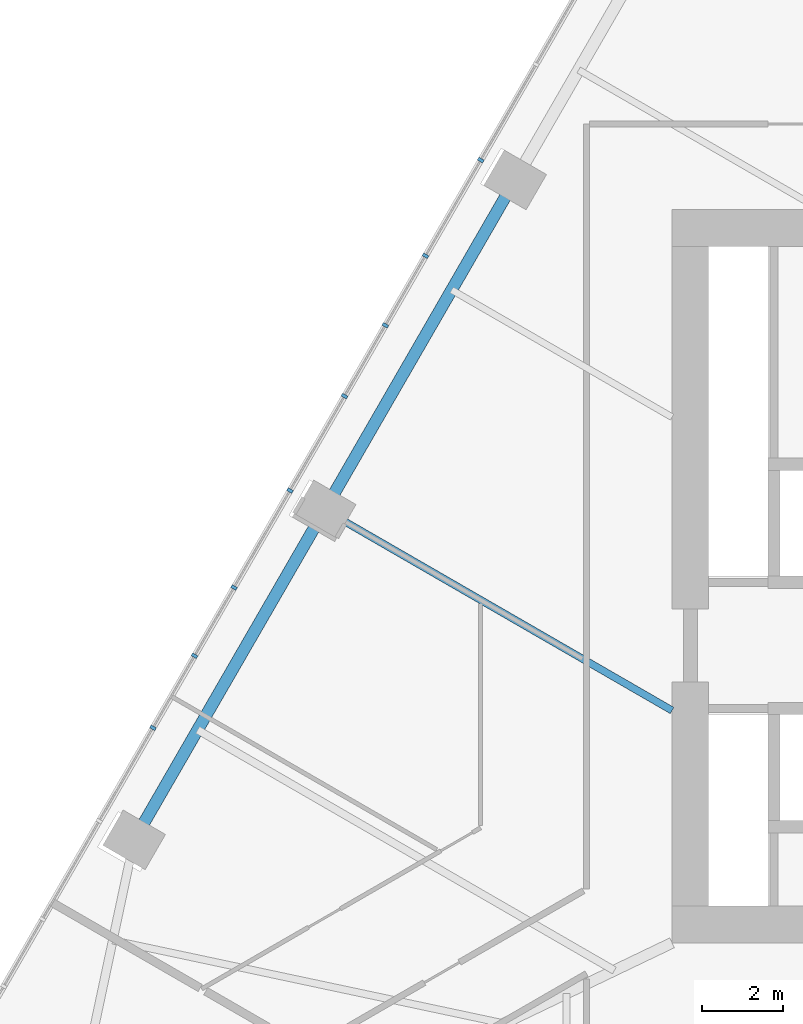
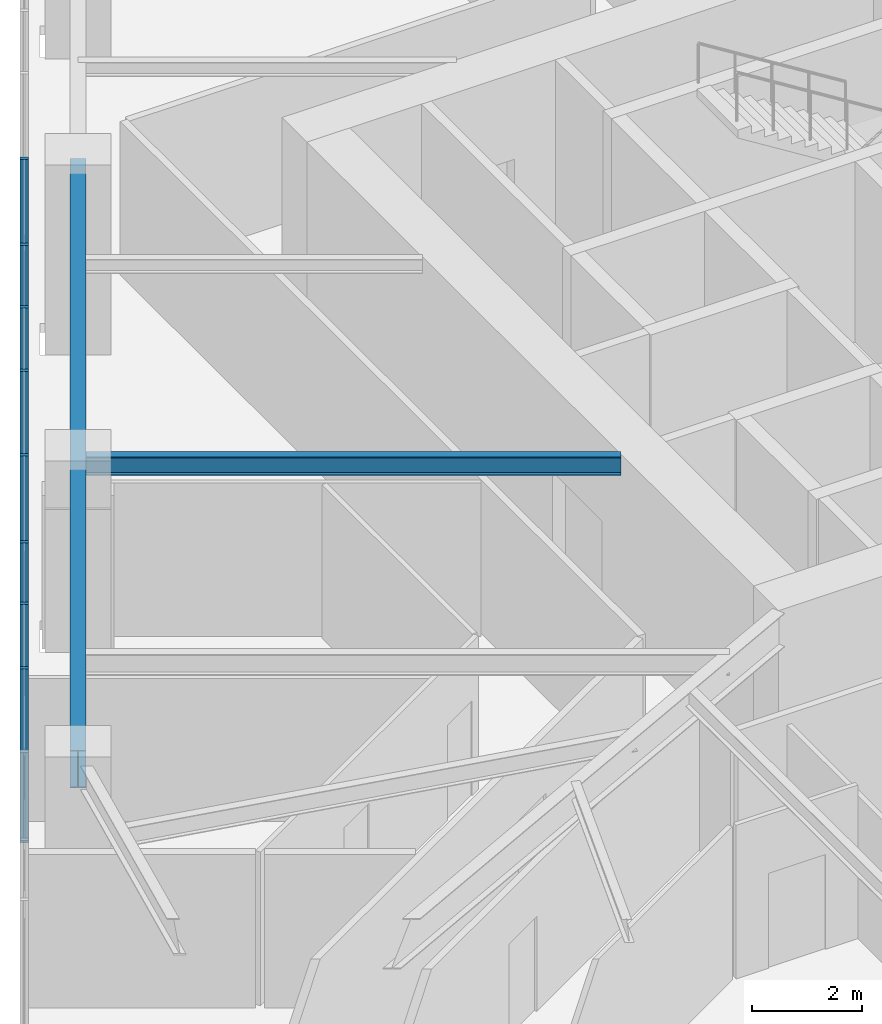
# One storey, part 4 of 19: 8 members, 2 beams, 1 element without a shape of its own.
"""IFC4 building model written with IfcOpenShell, lengths in metres."""

from ifc_helpers import new_model, si_unit, direction, frame, origin, origin_2d, place, context, subcontext, project, spatial, rectangle, i_section, extrude, material, layer, layer_set, material_profile, profile_set, type_object, element, aggregate, save


model = new_model("IFC4")

# Units and contexts
model_context = context("Model", 3, precision=1e-05, world=origin(), true_north=direction((0.0, 1.0)))
body_context = subcontext(model_context, "Body", "Model", "MODEL_VIEW")
ifc_project = project(units=[si_unit("LENGTHUNIT", "METRE"), si_unit("AREAUNIT", "SQUARE_METRE"), si_unit("VOLUMEUNIT", "CUBIC_METRE"), si_unit("PLANEANGLEUNIT", "RADIAN"), si_unit("MASSUNIT", "GRAM", prefix="KILO")], contexts=[model_context])

# Site, building, storey
site_placement = place(None, origin())
site = spatial("IfcSite", under=ifc_project, at=site_placement, CompositionType="ELEMENT")
building_placement = place(site_placement, origin())
building = spatial("IfcBuilding", under=site, at=building_placement, Name="Firuza Gate Tower and Library", CompositionType="ELEMENT")
storey_placement = place(building_placement, frame((0.0, 0.0, 103.0)))
storey = spatial("IfcBuildingStorey", under=building, at=storey_placement, Name="L23", CompositionType="ELEMENT", Elevation=103.0)

# Curtain wall, members
ifc_material_1 = material(Name="Aluminium 6063-T6", Category="aluminium")
ifc_layer = layer(ifc_material_1, 0.14990234375)
ifc_layer_set = layer_set([ifc_layer], Name="Unitised curtain wall, offices")
curtain_wall_type = type_object("IfcCurtainWallType", Name="Unitised curtain wall, offices", PredefinedType="NOTDEFINED", material=ifc_layer_set)
curtain_wall_placement = place(storey_placement, origin())
curtain_wall = element("IfcCurtainWall", 1, at=curtain_wall_placement, inside=storey, type_object=curtain_wall_type, Name="CW1 L23 W face", PredefinedType="NOTDEFINED")
ifc_material_2 = material(Name="Aluminium 6063-T6", Category="aluminium")
ifc_material_profile_1 = material_profile(ifc_material_2, rectangle(XDim=0.14990234375, YDim=0.080078125, at=origin_2d()))
ifc_profile_set_1 = profile_set([ifc_material_profile_1], Name="Aluminium 6063-T6")
member_type = type_object("IfcMemberType", Name="Curtain wall mullion 80x150", PredefinedType="MULLION", material=ifc_profile_set_1)
member_1_placement = place(storey_placement, frame((57.3037109375, 85.217041015625, 0.14990234375), z_axis=(0.0, 0.0, 1.0), x_axis=(0.866025403784, -0.5, 0.0)))
member_1 = element("IfcMember", 2, at=member_1_placement, type_object=member_type, Name="Mullion", PredefinedType="MULLION", context=body_context, shape_type="SweptSolid", body=[
    extrude(rectangle(XDim=0.14990234375, YDim=0.080078125, at=origin_2d()), origin(), (0.0, 0.0, 1.0), 3.85009765625),
])
member_2_placement = place(storey_placement, frame((54.961669921875, 81.16015625, 0.14990234375), z_axis=(0.0, 0.0, 1.0), x_axis=(0.866025403784, -0.5, 0.0)))
member_2 = element("IfcMember", 3, at=member_2_placement, type_object=member_type, Name="Mullion", PredefinedType="MULLION", context=body_context, shape_type="SweptSolid", body=[
    extrude(rectangle(XDim=0.14990234375, YDim=0.080078125, at=origin_2d()), origin(), (0.0, 0.0, 1.0), 3.85009765625),
])
member_3_placement = place(storey_placement, frame((52.619384765625, 77.103515625, 0.14990234375), z_axis=(0.0, 0.0, 1.0), x_axis=(0.866025403784, -0.5, 0.0)))
member_3 = element("IfcMember", 4, at=member_3_placement, type_object=member_type, Name="Mullion", PredefinedType="MULLION", context=body_context, shape_type="SweptSolid", body=[
    extrude(rectangle(XDim=0.14990234375, YDim=0.080078125, at=origin_2d()), origin(), (0.0, 0.0, 1.0), 3.85009765625),
])
member_4_placement = place(storey_placement, frame((50.27734375, 73.046630859375, 0.14990234375), z_axis=(0.0, 0.0, 1.0), x_axis=(0.866025403784, -0.5, 0.0)))
member_4 = element("IfcMember", 5, at=member_4_placement, type_object=member_type, Name="Mullion", PredefinedType="MULLION", context=body_context, shape_type="SweptSolid", body=[
    extrude(rectangle(XDim=0.14990234375, YDim=0.080078125, at=origin_2d()), origin(), (0.0, 0.0, 1.0), 3.85009765625),
])
member_5_placement = place(storey_placement, frame((55.947265625, 82.867431640625, 0.14990234375), z_axis=(0.0, 0.0, 1.0), x_axis=(0.866025403784, -0.5, 0.0)))
member_5 = element("IfcMember", 6, at=member_5_placement, type_object=member_type, Name="Mullion", PredefinedType="MULLION", context=body_context, shape_type="SweptSolid", body=[
    extrude(rectangle(XDim=0.14990234375, YDim=0.080078125, at=origin_2d()), origin(), (0.0, 0.0, 1.0), 3.85009765625),
])
member_6_placement = place(storey_placement, frame((53.95849609375, 79.4228515625, 0.14990234375), z_axis=(0.0, 0.0, 1.0), x_axis=(0.866025403784, -0.5, 0.0)))
member_6 = element("IfcMember", 7, at=member_6_placement, type_object=member_type, Name="Mullion", PredefinedType="MULLION", context=body_context, shape_type="SweptSolid", body=[
    extrude(rectangle(XDim=0.14990234375, YDim=0.080078125, at=origin_2d()), origin(), (0.0, 0.0, 1.0), 3.85009765625),
])
member_7_placement = place(storey_placement, frame((51.24560546875, 74.723876953125, 0.14990234375), z_axis=(0.0, 0.0, 1.0), x_axis=(0.866025403784, -0.5, 0.0)))
member_7 = element("IfcMember", 8, at=member_7_placement, type_object=member_type, Name="Mullion", PredefinedType="MULLION", context=body_context, shape_type="SweptSolid", body=[
    extrude(rectangle(XDim=0.14990234375, YDim=0.080078125, at=origin_2d()), origin(), (0.0, 0.0, 1.0), 3.85009765625),
])
member_8_placement = place(storey_placement, frame((49.2568359375, 71.279296875, 0.14990234375), z_axis=(0.0, 0.0, 1.0), x_axis=(0.866025403784, -0.5, 0.0)))
member_8 = element("IfcMember", 9, at=member_8_placement, type_object=member_type, Name="Mullion", PredefinedType="MULLION", context=body_context, shape_type="SweptSolid", body=[
    extrude(rectangle(XDim=0.14990234375, YDim=0.080078125, at=origin_2d()), origin(), (0.0, 0.0, 1.0), 3.85009765625),
])
aggregate(curtain_wall, [member_1, member_2, member_3, member_4, member_5, member_6, member_7, member_8])

# Beams
ifc_material_3 = material(Name="Steel S355", Category="steel")
ifc_material_profile_2 = material_profile(ifc_material_3, i_section(OverallWidth=0.177978515625, OverallDepth=0.406982421875, WebThickness=0.0078125, FlangeThickness=0.0126953125, at=origin_2d()))
ifc_profile_set_2 = profile_set([ifc_material_profile_2], Name="Steel S355")
beam_type_1 = type_object("IfcBeamType", Name="W410x60 Floor beam", PredefinedType="JOIST", material=ifc_profile_set_2)
beam_1_placement = place(storey_placement, frame((53.470947265625, 76.62841796875, 3.79638671875), z_axis=(0.866033257486, -0.499986396743, 0.0), x_axis=(0.499986396743, 0.866033257486, 0.0)))
element("IfcBeam", 10, at=beam_1_placement, inside=storey, type_object=beam_type_1, Name="Floor beam L23 s84", PredefinedType="JOIST", context=body_context, shape_type="SweptSolid", body=[
    extrude(i_section(OverallWidth=0.177978515625, OverallDepth=0.406982421875, WebThickness=0.0078125, FlangeThickness=0.0126953125, at=origin_2d()), origin(), (0.0, 0.0, 1.0), 9.848388671875),
])
ifc_material_4 = material(Name="Steel S355", Category="steel")
ifc_material_profile_3 = material_profile(ifc_material_4, i_section(OverallWidth=0.2919921875, OverallDepth=0.8349609375, WebThickness=0.013916015625, FlangeThickness=0.018798828125, at=origin_2d()))
ifc_profile_set_3 = profile_set([ifc_material_profile_3], Name="Steel S355")
beam_type_2 = type_object("IfcBeamType", Name="W840x176 Edge beam", PredefinedType="SPANDREL", material=ifc_profile_set_3)
beam_2_placement = place(storey_placement, frame((58.148193359375, 84.7294921875, 3.58251953125), z_axis=(-0.50000297619, -0.866023685473, 0.0), x_axis=(0.866023685473, -0.50000297619, 0.0)))
element("IfcBeam", 11, at=beam_2_placement, inside=storey, type_object=beam_type_2, Name="Edge beam L23 e82", PredefinedType="SPANDREL", context=body_context, shape_type="SweptSolid", body=[
    extrude(i_section(OverallWidth=0.2919921875, OverallDepth=0.8349609375, WebThickness=0.013916015625, FlangeThickness=0.018798828125, at=origin_2d()), origin(), (0.0, 0.0, 1.0), 18.70849609375),
])

save(model, "model.ifc")
